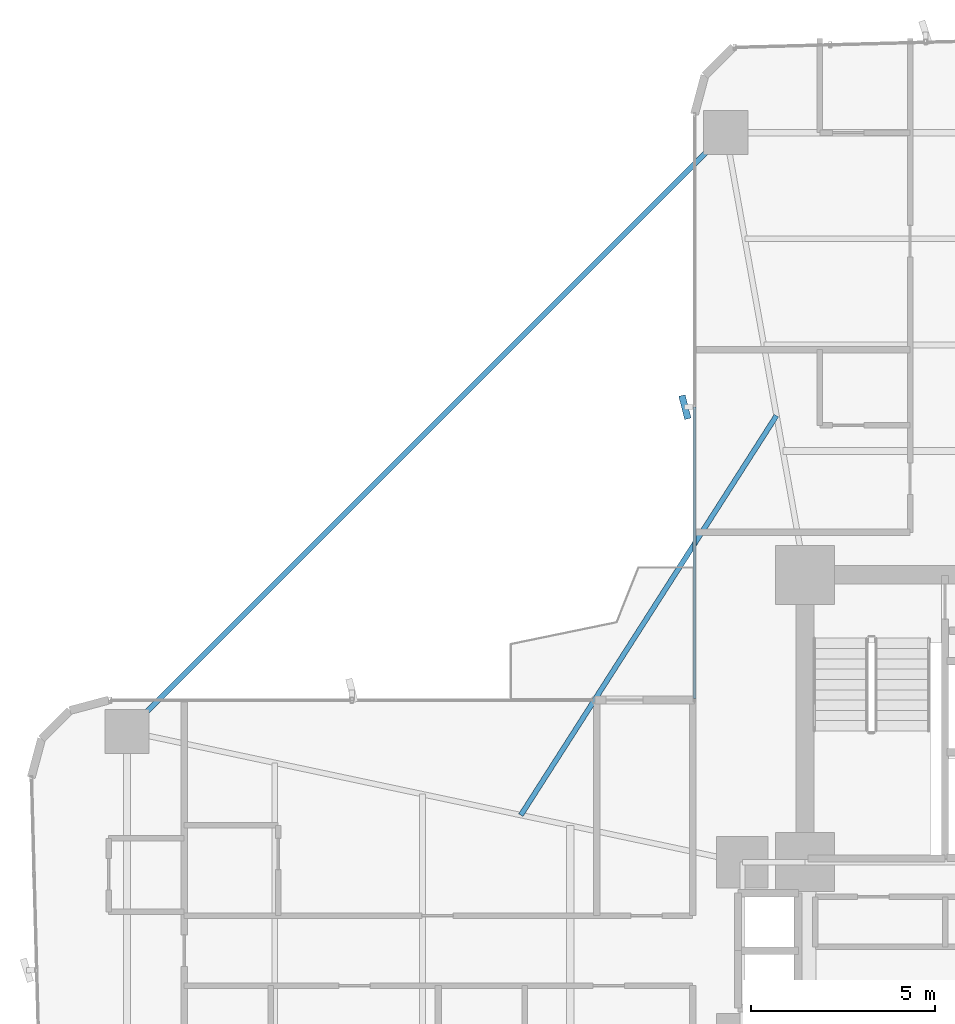
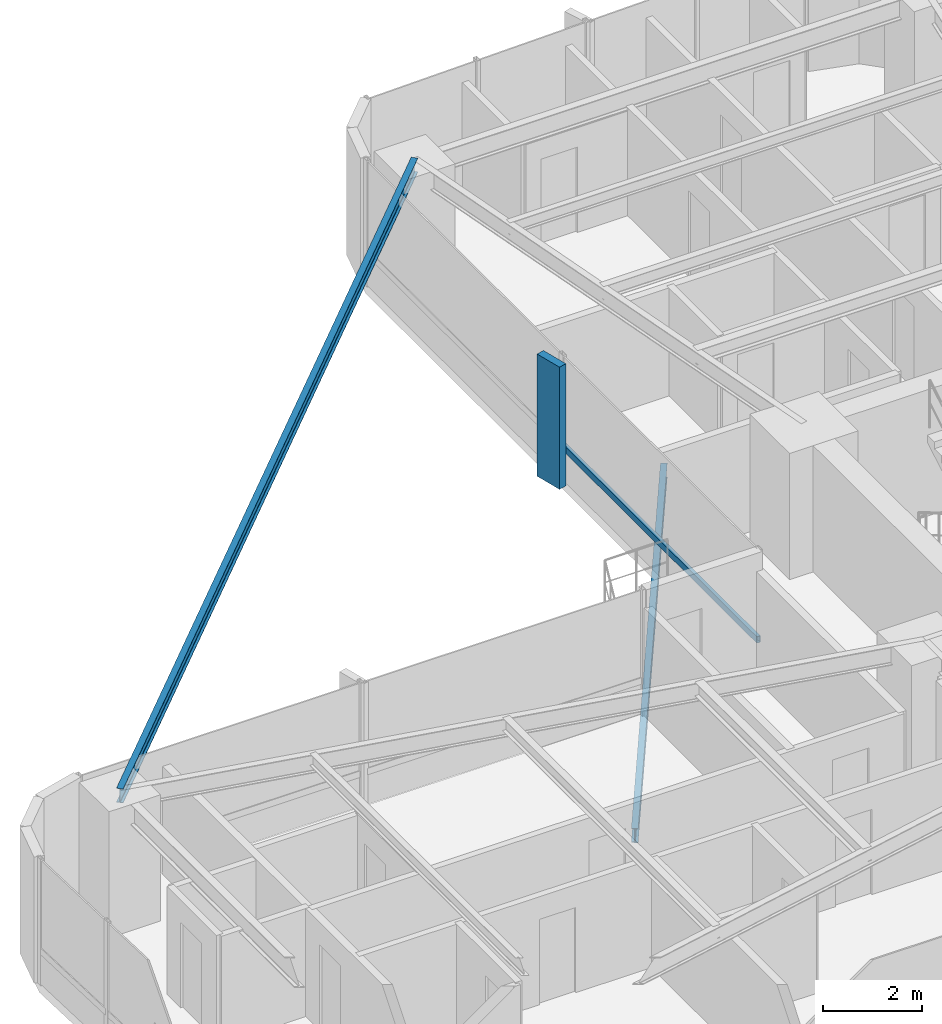
# One storey, part 17 of 26: 2 beams, 2 members, 1 element without a shape of its own.
"""IFC4 building model written with IfcOpenShell, lengths in metres."""

from ifc_helpers import new_model, si_unit, direction, frame, origin, origin_2d, place, context, subcontext, project, spatial, rectangle, hollow_rectangle, i_section, extrude, source, transform, mapped, material, material_profile, profile_set, type_object, element, aggregate, save


model = new_model("IFC4")

# Units and contexts
model_context = context("Model", 3, precision=1e-05, world=origin(), true_north=direction((0.0, 1.0)))
body_context = subcontext(model_context, "Body", "Model", "MODEL_VIEW")
ifc_project = project(units=[si_unit("LENGTHUNIT", "METRE"), si_unit("AREAUNIT", "SQUARE_METRE"), si_unit("VOLUMEUNIT", "CUBIC_METRE"), si_unit("PLANEANGLEUNIT", "RADIAN"), si_unit("MASSUNIT", "GRAM", prefix="KILO")], contexts=[model_context])

# Site, building, storey
site_placement = place(None, origin())
site = spatial("IfcSite", under=ifc_project, at=site_placement, CompositionType="ELEMENT")
building_placement = place(site_placement, origin())
building = spatial("IfcBuilding", under=site, at=building_placement, Name="Sahyath Konkavel Grand Hotel", CompositionType="ELEMENT")
storey_placement = place(building_placement, frame((0.0, 0.0, 51.050048828125)))
storey = spatial("IfcBuildingStorey", under=building, at=storey_placement, Name="L13", CompositionType="ELEMENT", Elevation=51.050048828125)

# Beam
ifc_material_1 = material(Name="Steel E350", Category="steel")
ifc_material_profile_1 = material_profile(ifc_material_1, i_section(OverallWidth=0.139892578125, OverallDepth=0.35009765625, WebThickness=0.008056640625, FlangeThickness=0.01416015625, FilletRadius=0.013916015625, at=origin_2d()), Name="ISMB 350")
ifc_profile_set_1 = profile_set([ifc_material_profile_1], Name="Steel E350")
beam_type_1 = type_object("IfcBeamType", Name="BM-ISMB350", PredefinedType="BEAM", material=ifc_profile_set_1)
shared_shape_1 = source(origin(), body_context, "Body", "SweptSolid", [
    extrude(i_section(OverallWidth=0.139892578125, OverallDepth=0.35009765625, WebThickness=0.008056640625, FlangeThickness=0.01416015625, FilletRadius=0.013916015625, at=origin_2d()), origin(), (0.0, 0.0, 1.0), 22.98095703125),
])
beam_1_placement = place(storey_placement, frame((-5.949951171875, 22.199951171875, 2.93505859375), z_axis=(-0.707106781187, -0.707106781187, 0.0), x_axis=(0.707106781187, -0.707106781187, 0.0)))
element("IfcBeam", 1, at=beam_1_placement, inside=storey, type_object=beam_type_1, Name="L13 Re-Entrant Tie Beam NW", PredefinedType="BEAM", context=body_context, shape_type="MappedRepresentation", body=[
    mapped(shared_shape_1, transform((0.0, 0.0, 0.0), scale=1.0)),
])

# Curtain wall, members
ifc_material_2 = material(Name="Anodised Bronze Aluminium & Low-E Glazing", Category="aluminium")
curtain_wall_type = type_object("IfcCurtainWallType", Name="CW-ZONE1", PredefinedType="NOTDEFINED", material=ifc_material_2)
curtain_wall_placement = place(storey_placement, origin())
curtain_wall = element("IfcCurtainWall", 2, at=curtain_wall_placement, inside=storey, type_object=curtain_wall_type, Name="L13 Unitised Curtain Wall F15", PredefinedType="NOTDEFINED")
ifc_material_3 = material(Name="Warm Buff Sandstone Cladding on Concrete C50/60", Category="masonry")
ifc_material_profile_2 = material_profile(ifc_material_3, rectangle(XDim=0.179931640625, YDim=0.64990234375, at=origin_2d()), Name="FIN 180x650")
ifc_profile_set_2 = profile_set([ifc_material_profile_2], Name="Warm Buff Sandstone Cladding on Concrete C50/60")
member_type_1 = type_object("IfcMemberType", Name="FIN-SANDSTONE-650", PredefinedType="MULLION", material=ifc_profile_set_2)
shared_shape_2 = source(origin(), body_context, "Body", "SweptSolid", [
    extrude(rectangle(XDim=0.179931640625, YDim=0.64990234375, at=origin_2d()), origin(), (0.0, 0.0, 1.0), 3.010009765625),
])
member_1_placement = place(storey_placement, frame((-7.06005859375, 14.75, 0.050048828125), z_axis=(0.0, 0.0, 1.0), x_axis=(0.969359662404, 0.245645771192, 0.0)))
member_1 = element("IfcMember", 3, at=member_1_placement, type_object=member_type_1, Name="L13 Sandstone Vertical Solar Fin FIN F15-1", PredefinedType="MULLION", context=body_context, shape_type="MappedRepresentation", body=[
    mapped(shared_shape_2, transform((0.0, 0.0, 0.0), scale=1.0)),
])
ifc_material_4 = material(Name="Anodised Bronze Aluminium", Category="aluminium")
ifc_material_profile_3 = material_profile(ifc_material_4, hollow_rectangle(XDim=0.080078125, YDim=0.159912109375, WallThickness=0.006103515625, at=origin_2d()), Name="RHS 160x80x6")
ifc_profile_set_3 = profile_set([ifc_material_profile_3], Name="Anodised Bronze Aluminium")
member_type_2 = type_object("IfcMemberType", Name="CW-TRN-160", PredefinedType="USERDEFINED", material=ifc_profile_set_3)
shared_shape_3 = source(origin(), body_context, "Body", "SweptSolid", [
    extrude(hollow_rectangle(XDim=0.080078125, YDim=0.159912109375, WallThickness=0.006103515625, at=origin_2d()), origin(), (0.0, 0.0, 1.0), 7.909912109375),
])
member_2_placement = place(storey_placement, frame((-6.800048828125, 14.75, 0.849853515625), z_axis=(0.0, -1.0, 0.0), x_axis=(1.0, 0.0, 0.0)))
member_2 = element("IfcMember", 4, at=member_2_placement, type_object=member_type_2, Name="L13 Curtain Wall Transom F15-1-spandrel", ObjectType="TRANSOM", PredefinedType="USERDEFINED", context=body_context, shape_type="MappedRepresentation", body=[
    mapped(shared_shape_3, transform((0.0, 0.0, 0.0), scale=1.0)),
])
aggregate(curtain_wall, [member_1, member_2])

# Beam
ifc_material_profile_4 = material_profile(ifc_material_1, i_section(OverallWidth=0.139892578125, OverallDepth=0.35009765625, WebThickness=0.008056640625, FlangeThickness=0.01416015625, FilletRadius=0.013916015625, at=origin_2d()), Name="ISMB 350")
ifc_profile_set_4 = profile_set([ifc_material_profile_4], Name="Steel E350")
beam_type_2 = type_object("IfcBeamType", Name="BM-BALC-CANT", PredefinedType="BEAM", material=ifc_profile_set_4)
shared_shape_4 = source(origin(), body_context, "Body", "SweptSolid", [
    extrude(i_section(OverallWidth=0.139892578125, OverallDepth=0.35009765625, WebThickness=0.008056640625, FlangeThickness=0.01416015625, FilletRadius=0.013916015625, at=origin_2d()), origin(), (0.0, 0.0, 1.0), 12.871826171875),
])
beam_2_placement = place(storey_placement, frame((-4.573974609375, 14.52001953125, -0.4150390625), z_axis=(-0.539003102535, -0.842303778608, 0.0), x_axis=(0.842303778608, -0.539003102535, 0.0)))
element("IfcBeam", 5, at=beam_2_placement, inside=storey, type_object=beam_type_2, Name="L13 Balcony Cantilever Support Beam NW", PredefinedType="BEAM", context=body_context, shape_type="MappedRepresentation", body=[
    mapped(shared_shape_4, transform((0.0, 0.0, 0.0), scale=1.0)),
])

save(model, "model.ifc")
